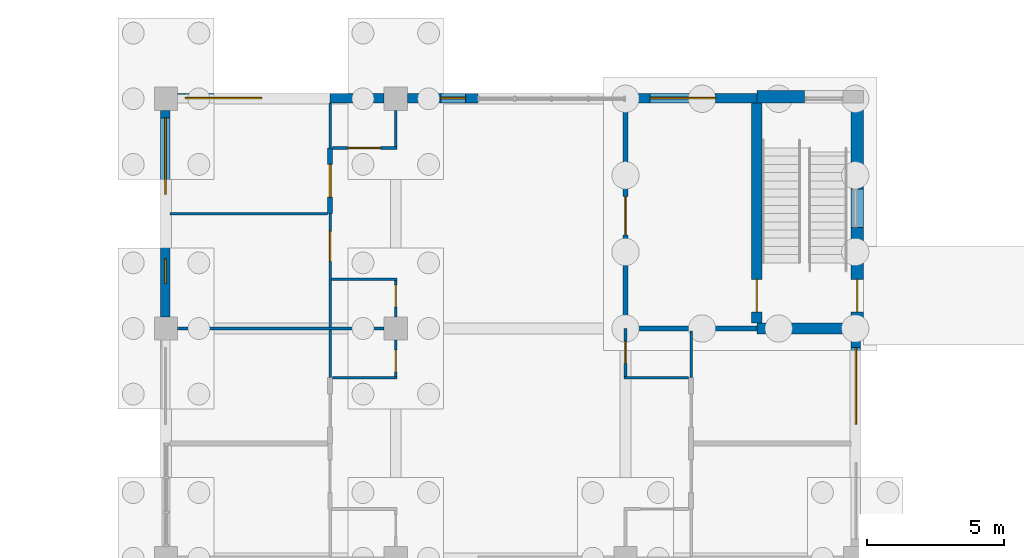
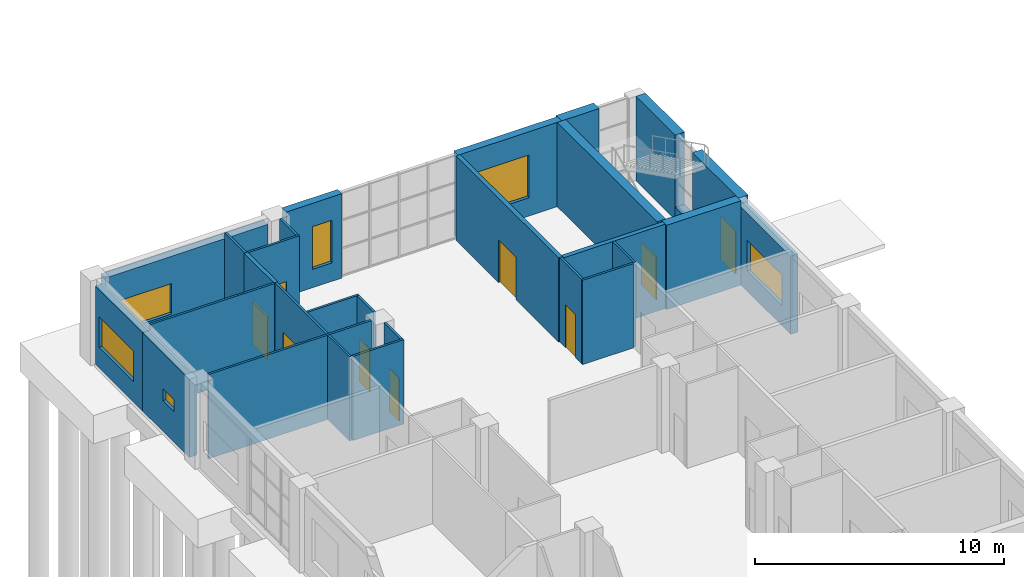
# One storey, part 121 of 138: 30 walls, 9 doors, 6 windows, 15 openings.
"""IFC4 building model written with IfcOpenShell, lengths in metres."""

from ifc_helpers import new_model, si_unit, direction, frame, frame_2d, origin, place, context, subcontext, project, spatial, rectangle, extrude, material, layer, layer_set, type_object, element, fill, save


model = new_model("IFC4")

# Units and contexts
model_context = context("Model", 3, precision=1e-05, world=origin(), true_north=direction((0.0, 1.0)))
body_context = subcontext(model_context, "Body", "Model", "MODEL_VIEW")
ifc_project = project(units=[si_unit("LENGTHUNIT", "METRE"), si_unit("AREAUNIT", "SQUARE_METRE"), si_unit("VOLUMEUNIT", "CUBIC_METRE"), si_unit("PLANEANGLEUNIT", "RADIAN"), si_unit("MASSUNIT", "GRAM", prefix="KILO")], contexts=[model_context])

# Site, building, storey
site_placement = place(None, origin())
site = spatial("IfcSite", under=ifc_project, at=site_placement, CompositionType="ELEMENT")
building_placement = place(site_placement, origin())
building = spatial("IfcBuilding", under=site, at=building_placement, Name="Yavir Park General Hospital", CompositionType="ELEMENT")
storey_placement = place(building_placement, origin())
storey = spatial("IfcBuildingStorey", under=building, at=storey_placement, Name="L00", CompositionType="ELEMENT", Elevation=0.0)

# Wall, opening, door
ifc_material_1 = material(Name="Double-leaf gypsum board acoustic partition on staggered studs")
ifc_layer_1 = layer(ifc_material_1, 0.175048828125)
ifc_layer_set_1 = layer_set([ifc_layer_1], Name="Double-leaf gypsum board acoustic partition on staggered studs")
wall_type_1 = type_object("IfcWallType", Name="Acoustic partition 175", PredefinedType="PARTITIONING", material=ifc_layer_set_1)
wall_1_placement = place(storey_placement, frame((6.0, 113.39990234375, 0.0), z_axis=(0.0, 0.0, 1.0), x_axis=(0.0, 1.0, 0.0)))
wall_1 = element("IfcWall", 1, at=wall_1_placement, inside=storey, type_object=wall_type_1, Name="AP175 L00-276", PredefinedType="PARTITIONING", context=body_context, shape_type="SweptSolid", body=[
    extrude(rectangle(XDim=2.400146484375, YDim=0.175048828125, at=frame_2d((1.2001953125, 0.0))), origin(), (0.0, 0.0, 1.0), 4.139892578125),
])
opening_1_placement = place(wall_1_placement, frame((0.60009765625, 0.0, 0.0)))
opening_1 = element("IfcOpeningElement", 2, at=opening_1_placement, cuts=wall_1, Name="Opening L00.D144", PredefinedType="OPENING", context=body_context, shape_type="SweptSolid", body=[
    extrude(rectangle(XDim=1.199951171875, YDim=2.10009765625, at=frame_2d((0.60009765625, 1.050048828125))), frame((0.0, 0.097412109375, 0.0), z_axis=(0.0, -1.0, 0.0), x_axis=(1.0, 0.0, 0.0)), (0.0, 0.0, 1.0), 0.195068359375),
])
ifc_material_2 = material(Name="Sealed solid-core acoustic door leaf, Rw 42 dB")
door_type_1 = type_object("IfcDoorType", Name="Acoustic door 1200 x 2100", OperationType="SINGLE_SWING_LEFT", PredefinedType="DOOR", material=ifc_material_2)
door_1_placement = place(opening_1_placement, origin())
door_1 = element("IfcDoor", 3, at=door_1_placement, inside=storey, type_object=door_type_1, Name="L00.D144", OperationType="SINGLE_SWING_RIGHT", OverallHeight=2.10009765625, OverallWidth=1.199951171875, PredefinedType="DOOR", context=body_context, shape_type="SweptSolid", body=[
    extrude(rectangle(XDim=1.199951171875, YDim=2.10009765625, at=frame_2d((0.60009765625, 1.050048828125))), frame((0.0, 0.03515625, 0.0), z_axis=(0.0, -1.0, 0.0), x_axis=(1.0, 0.0, 0.0)), (0.0, 0.0, 1.0), 0.070068359375),
])
fill(opening_1, door_1)

# Wall
ifc_material_3 = material(Name="Double gypsum board fire partition on steel studs", Category="steel")
ifc_layer_2 = layer(ifc_material_3, 0.199951171875)
ifc_layer_set_2 = layer_set([ifc_layer_2], Name="Double gypsum board fire partition on steel studs")
wall_type_2 = type_object("IfcWallType", Name="Fire-rated partition 200, EI 60", PredefinedType="PARTITIONING", material=ifc_layer_set_2)
wall_2_placement = place(storey_placement, frame((16.89990234375, 109.199951171875, 0.0), z_axis=(0.0, 0.0, 1.0), x_axis=(1.0, 0.0, 0.0)))
element("IfcWall", 4, at=wall_2_placement, inside=storey, type_object=wall_type_2, Name="FP20 L00-242", PredefinedType="PARTITIONING", context=body_context, shape_type="SweptSolid", body=[
    extrude(rectangle(XDim=4.7001953125, YDim=0.199951171875, at=frame_2d((2.35009765625, 0.0))), origin(), (0.0, 0.0, 1.0), 4.139892578125),
])

# Wall, opening, door
wall_3_placement = place(storey_placement, frame((16.800048828125, 109.199951171875, 0.0), z_axis=(0.0, 0.0, 1.0), x_axis=(0.0, 1.0, 0.0)))
wall_3 = element("IfcWall", 5, at=wall_3_placement, inside=storey, type_object=wall_type_2, Name="FP20 L00-315", PredefinedType="PARTITIONING", context=body_context, shape_type="SweptSolid", body=[
    extrude(rectangle(XDim=8.25, YDim=0.199951171875, at=frame_2d((4.125, 0.0))), origin(), (0.0, 0.0, 1.0), 4.139892578125),
])
opening_2_placement = place(wall_3_placement, frame((3.425048828125, 0.0, 0.0)))
opening_2 = element("IfcOpeningElement", 6, at=opening_2_placement, cuts=wall_3, Name="Opening L00.D175", PredefinedType="OPENING", context=body_context, shape_type="SweptSolid", body=[
    extrude(rectangle(XDim=1.39990234375, YDim=2.10009765625, at=frame_2d((0.699951171875, 1.050048828125))), frame((0.0, 0.10986328125, 0.0), z_axis=(0.0, -1.0, 0.0), x_axis=(1.0, 0.0, 0.0)), (0.0, 0.0, 1.0), 0.219970703125),
])
ifc_material_4 = material(Name="Steel frame, fire-resisting timber leaves", Category="steel")
door_type_2 = type_object("IfcDoorType", Name="Double fire door 1400 x 2100, EI 60", OperationType="DOUBLE_DOOR_SINGLE_SWING", PredefinedType="DOOR", material=ifc_material_4)
door_2_placement = place(opening_2_placement, origin())
door_2 = element("IfcDoor", 7, at=door_2_placement, inside=storey, type_object=door_type_2, Name="L00.D175", OperationType="SINGLE_SWING_LEFT", OverallHeight=2.10009765625, OverallWidth=1.39990234375, PredefinedType="DOOR", context=body_context, shape_type="SweptSolid", body=[
    extrude(rectangle(XDim=1.39990234375, YDim=2.10009765625, at=frame_2d((0.699951171875, 1.050048828125))), frame((0.0, 0.02490234375, 0.0), z_axis=(0.0, -1.0, 0.0), x_axis=(1.0, 0.0, 0.0)), (0.0, 0.0, 1.0), 0.050048828125),
])
fill(opening_2, door_2)

# Walls
ifc_material_5 = material(Name="Gypsum board partition on steel studs", Category="steel")
ifc_layer_3 = layer(ifc_material_5, 0.10009765625)
ifc_layer_set_3 = layer_set([ifc_layer_3], Name="Gypsum board partition on steel studs")
wall_type_3 = type_object("IfcWallType", Name="Gypsum board partition 100", PredefinedType="PARTITIONING", material=ifc_layer_set_3)
for number, where, z_axis, x_axis, name in (
    (8, (6.08740234375, 107.39990234375, 0.0), (0.0, 0.0, 1.0), (1.0, 0.0, 0.0), "P10 L00-239"),
    (9, (16.75, 107.39990234375, 0.0), (0.0, 0.0, 1.0), (1.0, 0.0, 0.0), "P10 L00-240"),
):
    element("IfcWall", number, at=place(storey_placement, frame(where, z_axis=z_axis, x_axis=x_axis)), inside=storey, type_object=wall_type_3, Name=name, PredefinedType="PARTITIONING", context=body_context, shape_type="SweptSolid", body=[
        extrude(rectangle(XDim=2.362548828125, YDim=0.10009765625, at=frame_2d((1.18115234375, 0.0))), origin(), (0.0, 0.0, 1.0), 4.139892578125),
    ])
wall_4_placement = place(storey_placement, frame((0.425048828125, 109.199951171875, 0.0), z_axis=(0.0, 0.0, 1.0), x_axis=(1.0, 0.0, 0.0)))
element("IfcWall", 10, at=wall_4_placement, inside=storey, type_object=wall_type_3, Name="P10 L00-241", PredefinedType="PARTITIONING", context=body_context, shape_type="SweptSolid", body=[
    extrude(rectangle(XDim=7.550048828125, YDim=0.10009765625, at=frame_2d((3.77490234375, 0.0))), origin(), (0.0, 0.0, 1.0), 4.139892578125),
])
wall_5_placement = place(storey_placement, frame((6.050048828125, 111.0, 0.0), z_axis=(0.0, 0.0, 1.0), x_axis=(1.0, 0.0, 0.0)))
element("IfcWall", 11, at=wall_5_placement, inside=storey, type_object=wall_type_3, Name="P10 L00-247", PredefinedType="PARTITIONING", context=body_context, shape_type="SweptSolid", body=[
    extrude(rectangle(XDim=2.39990234375, YDim=0.10009765625, at=frame_2d((1.199951171875, 0.0))), origin(), (0.0, 0.0, 1.0), 4.139892578125),
])
wall_6_placement = place(storey_placement, frame((0.14990234375, 113.39990234375, 0.0), z_axis=(0.0, 0.0, 1.0), x_axis=(1.0, 0.0, 0.0)))
element("IfcWall", 12, at=wall_6_placement, inside=storey, type_object=wall_type_3, Name="P10 L00-248", PredefinedType="PARTITIONING", context=body_context, shape_type="SweptSolid", body=[
    extrude(rectangle(XDim=5.7626953125, YDim=0.10009765625, at=frame_2d((2.88134765625, 0.0))), origin(), (0.0, 0.0, 1.0), 4.139892578125),
])

# Wall, opening, door
wall_7_placement = place(storey_placement, frame((6.08740234375, 115.800048828125, 0.0), z_axis=(0.0, 0.0, 1.0), x_axis=(1.0, 0.0, 0.0)))
wall_7 = element("IfcWall", 13, at=wall_7_placement, inside=storey, type_object=wall_type_3, Name="P10 L00-250", PredefinedType="PARTITIONING", context=body_context, shape_type="SweptSolid", body=[
    extrude(rectangle(XDim=2.362548828125, YDim=0.10009765625, at=frame_2d((1.18115234375, 0.0))), origin(), (0.0, 0.0, 1.0), 4.139892578125),
])
opening_3_placement = place(wall_7_placement, frame((0.55615234375, 0.0, 0.0)))
opening_3 = element("IfcOpeningElement", 14, at=opening_3_placement, cuts=wall_7, Name="Opening L00.D126", PredefinedType="OPENING", context=body_context, shape_type="SweptSolid", body=[
    extrude(rectangle(XDim=1.199951171875, YDim=2.10009765625, at=frame_2d((0.60009765625, 1.050048828125))), frame((0.0, 0.06005859375, 0.0), z_axis=(0.0, -1.0, 0.0), x_axis=(1.0, 0.0, 0.0)), (0.0, 0.0, 1.0), 0.1201171875),
])
ifc_material_6 = material(Name="Timber frame, hollow-core leaves", Category="wood")
door_type_3 = type_object("IfcDoorType", Name="Double-leaf wardrobe door 1200 x 2100", OperationType="DOUBLE_DOOR_SINGLE_SWING", PredefinedType="DOOR", material=ifc_material_6)
door_3_placement = place(opening_3_placement, origin())
door_3 = element("IfcDoor", 15, at=door_3_placement, inside=storey, type_object=door_type_3, Name="L00.D126", OperationType="SINGLE_SWING_LEFT", OverallHeight=2.10009765625, OverallWidth=1.199951171875, PredefinedType="DOOR", context=body_context, shape_type="SweptSolid", body=[
    extrude(rectangle(XDim=1.199951171875, YDim=2.10009765625, at=frame_2d((0.60009765625, 1.050048828125))), frame((0.0, 0.02001953125, 0.0), z_axis=(0.0, -1.0, 0.0), x_axis=(1.0, 0.0, 0.0)), (0.0, 0.0, 1.0), 0.0400390625),
])
fill(opening_3, door_3)

# Wall
wall_8_placement = place(storey_placement, frame((6.0, 107.39990234375, 0.0), z_axis=(0.0, 0.0, 1.0), x_axis=(0.0, 1.0, 0.0)))
element("IfcWall", 16, at=wall_8_placement, inside=storey, type_object=wall_type_3, Name="P10 L00-274", PredefinedType="PARTITIONING", context=body_context, shape_type="SweptSolid", body=[
    extrude(rectangle(XDim=1.75, YDim=0.10009765625, at=frame_2d((0.875, 0.0))), origin(), (0.0, 0.0, 1.0), 4.139892578125),
])

# Wall, opening, door
wall_9_placement = place(storey_placement, frame((6.0, 109.25, 0.0), z_axis=(0.0, 0.0, 1.0), x_axis=(0.0, 1.0, 0.0)))
wall_9 = element("IfcWall", 17, at=wall_9_placement, inside=storey, type_object=wall_type_3, Name="P10 L00-275", PredefinedType="PARTITIONING", context=body_context, shape_type="SweptSolid", body=[
    extrude(rectangle(XDim=4.14990234375, YDim=0.10009765625, at=frame_2d((2.074951171875, 0.0))), origin(), (0.0, 0.0, 1.0), 4.139892578125),
])
opening_4_placement = place(wall_9_placement, frame((2.39990234375, 0.0, 0.0)))
opening_4 = element("IfcOpeningElement", 18, at=opening_4_placement, cuts=wall_9, Name="Opening L00.D143", PredefinedType="OPENING", context=body_context, shape_type="SweptSolid", body=[
    extrude(rectangle(XDim=1.10009765625, YDim=2.10009765625, at=frame_2d((0.550048828125, 1.050048828125))), frame((0.0, 0.06005859375, 0.0), z_axis=(0.0, -1.0, 0.0), x_axis=(1.0, 0.0, 0.0)), (0.0, 0.0, 1.0), 0.1201171875),
])
ifc_material_7 = material(Name="Hollow metal frame, solid-core timber leaf", Category="wood")
door_type_4 = type_object("IfcDoorType", Name="Single swing door 1100 x 2100", OperationType="SINGLE_SWING_LEFT", PredefinedType="DOOR", material=ifc_material_7)
door_4_placement = place(opening_4_placement, origin())
door_4 = element("IfcDoor", 19, at=door_4_placement, inside=storey, type_object=door_type_4, Name="L00.D143", OperationType="SINGLE_SWING_LEFT", OverallHeight=2.10009765625, OverallWidth=1.10009765625, PredefinedType="DOOR", context=body_context, shape_type="SweptSolid", body=[
    extrude(rectangle(XDim=1.10009765625, YDim=2.10009765625, at=frame_2d((0.550048828125, 1.050048828125))), frame((0.0, 0.02490234375, 0.0), z_axis=(0.0, -1.0, 0.0), x_axis=(1.0, 0.0, 0.0)), (0.0, 0.0, 1.0), 0.050048828125),
])
fill(opening_4, door_4)

# Wall
wall_10_placement = place(storey_placement, frame((6.0, 115.800048828125, 0.0), z_axis=(0.0, 0.0, 1.0), x_axis=(0.0, 1.0, 0.0)))
element("IfcWall", 20, at=wall_10_placement, inside=storey, type_object=wall_type_3, Name="P10 L00-277", PredefinedType="PARTITIONING", context=body_context, shape_type="SweptSolid", body=[
    extrude(rectangle(XDim=1.64990234375, YDim=0.10009765625, at=frame_2d((0.824951171875, 0.0))), origin(), (0.0, 0.0, 1.0), 4.139892578125),
])

# Wall, opening, door
wall_11_placement = place(storey_placement, frame((8.39990234375, 107.449951171875, 0.0), z_axis=(0.0, 0.0, 1.0), x_axis=(0.0, 1.0, 0.0)))
wall_11 = element("IfcWall", 21, at=wall_11_placement, inside=storey, type_object=wall_type_3, Name="P10 L00-292", PredefinedType="PARTITIONING", context=body_context, shape_type="SweptSolid", body=[
    extrude(rectangle(XDim=1.324951171875, YDim=0.10009765625, at=frame_2d((0.66259765625, 0.0))), origin(), (0.0, 0.0, 1.0), 4.139892578125),
])
opening_5_placement = place(wall_11_placement, frame((0.16259765625, 0.0, 0.0)))
opening_5 = element("IfcOpeningElement", 22, at=opening_5_placement, cuts=wall_11, Name="Opening L00.D157", PredefinedType="OPENING", context=body_context, shape_type="SweptSolid", body=[
    extrude(rectangle(XDim=0.800048828125, YDim=2.10009765625, at=frame_2d((0.39990234375, 1.050048828125))), frame((0.0, 0.06005859375, 0.0), z_axis=(0.0, -1.0, 0.0), x_axis=(1.0, 0.0, 0.0)), (0.0, 0.0, 1.0), 0.1201171875),
])
ifc_material_8 = material(Name="Timber frame, hollow-core leaf", Category="wood")
door_type_5 = type_object("IfcDoorType", Name="Light cupboard door 800 x 2100", OperationType="SINGLE_SWING_LEFT", PredefinedType="DOOR", material=ifc_material_8)
door_5_placement = place(opening_5_placement, origin())
door_5 = element("IfcDoor", 23, at=door_5_placement, inside=storey, type_object=door_type_5, Name="L00.D157", OperationType="SINGLE_SWING_RIGHT", OverallHeight=2.10009765625, OverallWidth=0.800048828125, PredefinedType="DOOR", context=body_context, shape_type="SweptSolid", body=[
    extrude(rectangle(XDim=0.800048828125, YDim=2.10009765625, at=frame_2d((0.39990234375, 1.050048828125))), frame((0.0, 0.02001953125, 0.0), z_axis=(0.0, -1.0, 0.0), x_axis=(1.0, 0.0, 0.0)), (0.0, 0.0, 1.0), 0.0400390625),
])
fill(opening_5, door_5)

wall_12_placement = place(storey_placement, frame((8.39990234375, 109.625, 0.0), z_axis=(0.0, 0.0, 1.0), x_axis=(0.0, 1.0, 0.0)))
wall_12 = element("IfcWall", 24, at=wall_12_placement, inside=storey, type_object=wall_type_3, Name="P10 L00-293", PredefinedType="PARTITIONING", context=body_context, shape_type="SweptSolid", body=[
    extrude(rectangle(XDim=1.324951171875, YDim=0.10009765625, at=frame_2d((0.66259765625, 0.0))), origin(), (0.0, 0.0, 1.0), 4.139892578125),
])
opening_6_placement = place(wall_12_placement, frame((0.362548828125, 0.0, 0.0)))
opening_6 = element("IfcOpeningElement", 25, at=opening_6_placement, cuts=wall_12, Name="Opening L00.D158", PredefinedType="OPENING", context=body_context, shape_type="SweptSolid", body=[
    extrude(rectangle(XDim=0.800048828125, YDim=2.10009765625, at=frame_2d((0.39990234375, 1.050048828125))), frame((0.0, 0.06005859375, 0.0), z_axis=(0.0, -1.0, 0.0), x_axis=(1.0, 0.0, 0.0)), (0.0, 0.0, 1.0), 0.1201171875),
])
door_6_placement = place(opening_6_placement, origin())
door_6 = element("IfcDoor", 26, at=door_6_placement, inside=storey, type_object=door_type_5, Name="L00.D158", OperationType="SINGLE_SWING_LEFT", OverallHeight=2.10009765625, OverallWidth=0.800048828125, PredefinedType="DOOR", context=body_context, shape_type="SweptSolid", body=[
    extrude(rectangle(XDim=0.800048828125, YDim=2.10009765625, at=frame_2d((0.39990234375, 1.050048828125))), frame((0.0, 0.02001953125, 0.0), z_axis=(0.0, -1.0, 0.0), x_axis=(1.0, 0.0, 0.0)), (0.0, 0.0, 1.0), 0.0400390625),
])
fill(opening_6, door_6)

# Wall
wall_13_placement = place(storey_placement, frame((8.39990234375, 115.85009765625, 0.0), z_axis=(0.0, 0.0, 1.0), x_axis=(0.0, 1.0, 0.0)))
element("IfcWall", 27, at=wall_13_placement, inside=storey, type_object=wall_type_3, Name="P10 L00-294", PredefinedType="PARTITIONING", context=body_context, shape_type="SweptSolid", body=[
    extrude(rectangle(XDim=1.324951171875, YDim=0.10009765625, at=frame_2d((0.66259765625, 0.0))), origin(), (0.0, 0.0, 1.0), 4.139892578125),
])

# Wall, opening, door
wall_14_placement = place(storey_placement, frame((16.800048828125, 107.449951171875, 0.0), z_axis=(0.0, 0.0, 1.0), x_axis=(0.0, 1.0, 0.0)))
wall_14 = element("IfcWall", 28, at=wall_14_placement, inside=storey, type_object=wall_type_3, Name="P10 L00-314", PredefinedType="PARTITIONING", context=body_context, shape_type="SweptSolid", body=[
    extrude(rectangle(XDim=1.75, YDim=0.10009765625, at=frame_2d((0.875, 0.0))), origin(), (0.0, 0.0, 1.0), 4.139892578125),
])
opening_7_placement = place(wall_14_placement, frame((0.47509765625, 0.0, 0.0)))
opening_7 = element("IfcOpeningElement", 29, at=opening_7_placement, cuts=wall_14, Name="Opening L00.D174", PredefinedType="OPENING", context=body_context, shape_type="SweptSolid", body=[
    extrude(rectangle(XDim=0.800048828125, YDim=2.10009765625, at=frame_2d((0.39990234375, 1.050048828125))), frame((0.0, 0.06005859375, 0.0), z_axis=(0.0, -1.0, 0.0), x_axis=(1.0, 0.0, 0.0)), (0.0, 0.0, 1.0), 0.1201171875),
])
door_7_placement = place(opening_7_placement, origin())
door_7 = element("IfcDoor", 30, at=door_7_placement, inside=storey, type_object=door_type_5, Name="L00.D174", OperationType="SINGLE_SWING_LEFT", OverallHeight=2.10009765625, OverallWidth=0.800048828125, PredefinedType="DOOR", context=body_context, shape_type="SweptSolid", body=[
    extrude(rectangle(XDim=0.800048828125, YDim=2.10009765625, at=frame_2d((0.39990234375, 1.050048828125))), frame((0.0, 0.02001953125, 0.0), z_axis=(0.0, -1.0, 0.0), x_axis=(1.0, 0.0, 0.0)), (0.0, 0.0, 1.0), 0.0400390625),
])
fill(opening_7, door_7)

# Wall
wall_15_placement = place(storey_placement, frame((19.199951171875, 107.39990234375, 0.0), z_axis=(0.0, 0.0, 1.0), x_axis=(0.0, 1.0, 0.0)))
element("IfcWall", 31, at=wall_15_placement, inside=storey, type_object=wall_type_3, Name="P10 L00-336", PredefinedType="PARTITIONING", context=body_context, shape_type="SweptSolid", body=[
    extrude(rectangle(XDim=1.7001953125, YDim=0.10009765625, at=frame_2d((0.85009765625, 0.0))), origin(), (0.0, 0.0, 1.0), 4.139892578125),
])

# Wall, opening, window
ifc_material_9 = material(Name="Concrete C30/37 precast panel with 120 mm mineral wool insulation", Category="concrete")
ifc_layer_4 = layer(ifc_material_9, 0.35009765625)
ifc_layer_set_4 = layer_set([ifc_layer_4], Name="Concrete C30/37 precast panel with 120 mm mineral wool insulation")
wall_type_4 = type_object("IfcWallType", Name="Precast cladding panel podium wall 350, E 30", PredefinedType="SOLIDWALL", material=ifc_layer_set_4)
wall_16_placement = place(storey_placement, frame((0.425048828125, 117.625, 0.0), z_axis=(0.0, 0.0, 1.0), x_axis=(1.0, 0.0, 0.0)))
wall_16 = element("IfcWall", 32, at=wall_16_placement, inside=storey, type_object=wall_type_4, Name="XW2 L00-078", PredefinedType="SOLIDWALL", context=body_context, shape_type="SweptSolid", body=[
    extrude(rectangle(XDim=5.574951171875, YDim=0.35009765625, at=frame_2d((2.78759765625, 0.0))), origin(), (0.0, 0.0, 1.0), 3.840087890625),
])
opening_8_placement = place(wall_16_placement, frame((0.27490234375, 0.0, 1.0)))
opening_8 = element("IfcOpeningElement", 33, at=opening_8_placement, cuts=wall_16, Name="Opening WRB2", PredefinedType="OPENING", context=body_context, shape_type="SweptSolid", body=[
    extrude(rectangle(XDim=2.800048828125, YDim=1.5, at=frame_2d((1.39990234375, 0.75))), frame((0.0, 0.18505859375, 0.0), z_axis=(0.0, -1.0, 0.0), x_axis=(1.0, 0.0, 0.0)), (0.0, 0.0, 1.0), 0.3701171875),
])
ifc_material_10 = material(Name="Aluminium frame, double glazed unit", Category="aluminium")
window_type_1 = type_object("IfcWindowType", Name="Tall ribbon window 2800 x 1500", PartitioningType="DOUBLE_PANEL_VERTICAL", PredefinedType="WINDOW", material=ifc_material_10)
window_1_placement = place(opening_8_placement, origin())
window_1 = element("IfcWindow", 34, at=window_1_placement, inside=storey, type_object=window_type_1, Name="WRB2 L00-024", OverallHeight=1.5, OverallWidth=2.800048828125, PartitioningType="DOUBLE_PANEL_VERTICAL", PredefinedType="WINDOW", context=body_context, shape_type="SweptSolid", body=[
    extrude(rectangle(XDim=2.800048828125, YDim=1.5, at=frame_2d((1.39990234375, 0.75))), frame((0.0, 0.030029296875, 0.0), z_axis=(0.0, -1.0, 0.0), x_axis=(1.0, 0.0, 0.0)), (0.0, 0.0, 1.0), 0.06005859375),
])
fill(opening_8, window_1)

# Wall
wall_17_placement = place(storey_placement, frame((6.0, 117.625, 0.0), z_axis=(0.0, 0.0, 1.0), x_axis=(1.0, 0.0, 0.0)))
element("IfcWall", 35, at=wall_17_placement, inside=storey, type_object=wall_type_4, Name="XW2 L00-079", PredefinedType="SOLIDWALL", context=body_context, shape_type="SweptSolid", body=[
    extrude(rectangle(XDim=1.97509765625, YDim=0.35009765625, at=frame_2d((0.987548828125, 0.0))), origin(), (0.0, 0.0, 1.0), 3.840087890625),
])

# Wall, opening, window
wall_18_placement = place(storey_placement, frame((8.824951171875, 117.625, 0.0), z_axis=(0.0, 0.0, 1.0), x_axis=(1.0, 0.0, 0.0)))
wall_18 = element("IfcWall", 36, at=wall_18_placement, inside=storey, type_object=wall_type_4, Name="XW2 L00-080", PredefinedType="SOLIDWALL", context=body_context, shape_type="SweptSolid", body=[
    extrude(rectangle(XDim=2.574951171875, YDim=0.35009765625, at=frame_2d((1.28759765625, 0.0))), origin(), (0.0, 0.0, 1.0), 4.139892578125),
])
opening_9_placement = place(wall_18_placement, frame((1.22509765625, 0.0, 0.89990234375)))
opening_9 = element("IfcOpeningElement", 37, at=opening_9_placement, cuts=wall_18, Name="Opening WH2", PredefinedType="OPENING", context=body_context, shape_type="SweptSolid", body=[
    extrude(rectangle(XDim=0.89990234375, YDim=2.10009765625, at=frame_2d((0.449951171875, 1.050048828125))), frame((0.0, 0.18505859375, 0.0), z_axis=(0.0, -1.0, 0.0), x_axis=(1.0, 0.0, 0.0)), (0.0, 0.0, 1.0), 0.3701171875),
])
ifc_material_11 = material(Name="Aluminium frame, double glazed unit", Category="aluminium")
window_type_2 = type_object("IfcWindowType", Name="Tall narrow window 900 x 2100", PartitioningType="SINGLE_PANEL", PredefinedType="WINDOW", material=ifc_material_11)
window_2_placement = place(opening_9_placement, origin())
window_2 = element("IfcWindow", 38, at=window_2_placement, inside=storey, type_object=window_type_2, Name="WH2 L00-025", OverallHeight=2.10009765625, OverallWidth=0.89990234375, PartitioningType="SINGLE_PANEL", PredefinedType="WINDOW", context=body_context, shape_type="SweptSolid", body=[
    extrude(rectangle(XDim=0.89990234375, YDim=2.10009765625, at=frame_2d((0.449951171875, 1.050048828125))), frame((0.0, 0.030029296875, 0.0), z_axis=(0.0, -1.0, 0.0), x_axis=(1.0, 0.0, 0.0)), (0.0, 0.0, 1.0), 0.06005859375),
])
fill(opening_9, window_2)

wall_19_placement = place(storey_placement, frame((16.800048828125, 117.625, 0.0), z_axis=(0.0, 0.0, 1.0), x_axis=(1.0, 0.0, 0.0)))
wall_19 = element("IfcWall", 39, at=wall_19_placement, inside=storey, type_object=wall_type_4, Name="XW2 L00-081", PredefinedType="SOLIDWALL", context=body_context, shape_type="SweptSolid", body=[
    extrude(rectangle(XDim=4.800048828125, YDim=0.35009765625, at=frame_2d((2.39990234375, 0.0))), origin(), (0.0, 0.0, 1.0), 4.139892578125),
])
opening_10_placement = place(wall_19_placement, frame((0.89990234375, 0.0, 0.89990234375)))
opening_10 = element("IfcOpeningElement", 40, at=opening_10_placement, cuts=wall_19, Name="Opening WF2", PredefinedType="OPENING", context=body_context, shape_type="SweptSolid", body=[
    extrude(rectangle(XDim=2.39990234375, YDim=2.10009765625, at=frame_2d((1.199951171875, 1.050048828125))), frame((0.0, 0.18505859375, 0.0), z_axis=(0.0, -1.0, 0.0), x_axis=(1.0, 0.0, 0.0)), (0.0, 0.0, 1.0), 0.3701171875),
])
ifc_material_12 = material(Name="Aluminium frame, double glazed unit", Category="aluminium")
window_type_3 = type_object("IfcWindowType", Name="Tall corridor end window 2400 x 2100", PartitioningType="DOUBLE_PANEL_VERTICAL", PredefinedType="WINDOW", material=ifc_material_12)
window_3_placement = place(opening_10_placement, origin())
window_3 = element("IfcWindow", 41, at=window_3_placement, inside=storey, type_object=window_type_3, Name="WF2 L00-026", OverallHeight=2.10009765625, OverallWidth=2.39990234375, PartitioningType="DOUBLE_PANEL_VERTICAL", PredefinedType="WINDOW", context=body_context, shape_type="SweptSolid", body=[
    extrude(rectangle(XDim=2.39990234375, YDim=2.10009765625, at=frame_2d((1.199951171875, 1.050048828125))), frame((0.0, 0.030029296875, 0.0), z_axis=(0.0, -1.0, 0.0), x_axis=(1.0, 0.0, 0.0)), (0.0, 0.0, 1.0), 0.06005859375),
])
fill(opening_10, window_3)

wall_20_placement = place(storey_placement, frame((-0.02490234375, 109.625, 0.0), z_axis=(0.0, 0.0, 1.0), x_axis=(0.0, 1.0, 0.0)))
wall_20 = element("IfcWall", 42, at=wall_20_placement, inside=storey, type_object=wall_type_4, Name="XW2 L00-114", PredefinedType="SOLIDWALL", context=body_context, shape_type="SweptSolid", body=[
    extrude(rectangle(XDim=3.77490234375, YDim=0.35009765625, at=frame_2d((1.887451171875, 0.0))), origin(), (0.0, 0.0, 1.0), 3.840087890625),
])
opening_11_placement = place(wall_20_placement, frame((1.22509765625, 0.0, 1.5)))
opening_11 = element("IfcOpeningElement", 43, at=opening_11_placement, cuts=wall_20, Name="Opening WE", PredefinedType="OPENING", context=body_context, shape_type="SweptSolid", body=[
    extrude(rectangle(XDim=0.89990234375, YDim=0.60009765625, at=frame_2d((0.449951171875, 0.300048828125))), frame((0.0, 0.18505859375, 0.0), z_axis=(0.0, -1.0, 0.0), x_axis=(1.0, 0.0, 0.0)), (0.0, 0.0, 1.0), 0.3701171875),
])
ifc_material_13 = material(Name="Aluminium frame, obscured glazed unit", Category="aluminium")
window_type_4 = type_object("IfcWindowType", Name="Toilet window 900 x 600", PartitioningType="SINGLE_PANEL", PredefinedType="WINDOW", material=ifc_material_13)
window_4_placement = place(opening_11_placement, origin())
window_4 = element("IfcWindow", 44, at=window_4_placement, inside=storey, type_object=window_type_4, Name="WE L00-046", OverallHeight=0.60009765625, OverallWidth=0.89990234375, PartitioningType="SINGLE_PANEL", PredefinedType="WINDOW", context=body_context, shape_type="SweptSolid", body=[
    extrude(rectangle(XDim=0.89990234375, YDim=0.60009765625, at=frame_2d((0.449951171875, 0.300048828125))), frame((0.0, 0.030029296875, 0.0), z_axis=(0.0, -1.0, 0.0), x_axis=(1.0, 0.0, 0.0)), (0.0, 0.0, 1.0), 0.06005859375),
])
fill(opening_11, window_4)

wall_21_placement = place(storey_placement, frame((-0.02490234375, 113.39990234375, 0.0), z_axis=(0.0, 0.0, 1.0), x_axis=(0.0, 1.0, 0.0)))
wall_21 = element("IfcWall", 45, at=wall_21_placement, inside=storey, type_object=wall_type_4, Name="XW2 L00-115", PredefinedType="SOLIDWALL", context=body_context, shape_type="SweptSolid", body=[
    extrude(rectangle(XDim=3.775146484375, YDim=0.35009765625, at=frame_2d((1.8876953125, 0.0))), origin(), (0.0, 0.0, 1.0), 3.840087890625),
])
opening_12_placement = place(wall_21_placement, frame((0.699951171875, 0.0, 1.0)))
opening_12 = element("IfcOpeningElement", 46, at=opening_12_placement, cuts=wall_21, Name="Opening WRB2", PredefinedType="OPENING", context=body_context, shape_type="SweptSolid", body=[
    extrude(rectangle(XDim=2.800048828125, YDim=1.5, at=frame_2d((1.39990234375, 0.75))), frame((0.0, 0.18505859375, 0.0), z_axis=(0.0, -1.0, 0.0), x_axis=(1.0, 0.0, 0.0)), (0.0, 0.0, 1.0), 0.3701171875),
])
window_5_placement = place(opening_12_placement, origin())
window_5 = element("IfcWindow", 47, at=window_5_placement, inside=storey, type_object=window_type_1, Name="WRB2 L00-047", OverallHeight=1.5, OverallWidth=2.800048828125, PartitioningType="DOUBLE_PANEL_VERTICAL", PredefinedType="WINDOW", context=body_context, shape_type="SweptSolid", body=[
    extrude(rectangle(XDim=2.800048828125, YDim=1.5, at=frame_2d((1.39990234375, 0.75))), frame((0.0, 0.030029296875, 0.0), z_axis=(0.0, -1.0, 0.0), x_axis=(1.0, 0.0, 0.0)), (0.0, 0.0, 1.0), 0.06005859375),
])
fill(opening_12, window_5)

wall_22_placement = place(storey_placement, frame((25.22509765625, 105.0, 0.0), z_axis=(0.0, 0.0, 1.0), x_axis=(0.0, 1.0, 0.0)))
wall_22 = element("IfcWall", 48, at=wall_22_placement, inside=storey, type_object=wall_type_4, Name="XW2 L00-135", PredefinedType="SOLIDWALL", context=body_context, shape_type="SweptSolid", body=[
    extrude(rectangle(XDim=4.199951171875, YDim=0.35009765625, at=frame_2d((2.10009765625, 0.0))), origin(), (0.0, 0.0, 1.0), 3.840087890625),
])
opening_13_placement = place(wall_22_placement, frame((0.699951171875, 0.0, 1.0)))
opening_13 = element("IfcOpeningElement", 49, at=opening_13_placement, cuts=wall_22, Name="Opening WRB2", PredefinedType="OPENING", context=body_context, shape_type="SweptSolid", body=[
    extrude(rectangle(XDim=2.800048828125, YDim=1.5, at=frame_2d((1.39990234375, 0.75))), frame((0.0, 0.18505859375, 0.0), z_axis=(0.0, -1.0, 0.0), x_axis=(1.0, 0.0, 0.0)), (0.0, 0.0, 1.0), 0.3701171875),
])
window_6_placement = place(opening_13_placement, origin())
window_6 = element("IfcWindow", 50, at=window_6_placement, inside=storey, type_object=window_type_1, Name="WRB2 L00-060", OverallHeight=1.5, OverallWidth=2.800048828125, PartitioningType="DOUBLE_PANEL_VERTICAL", PredefinedType="WINDOW", context=body_context, shape_type="SweptSolid", body=[
    extrude(rectangle(XDim=2.800048828125, YDim=1.5, at=frame_2d((1.39990234375, 0.75))), frame((0.0, 0.030029296875, 0.0), z_axis=(0.0, -1.0, 0.0), x_axis=(1.0, 0.0, 0.0)), (0.0, 0.0, 1.0), 0.06005859375),
])
fill(opening_13, window_6)

# Wall
ifc_material_14 = material(Name="Concrete C35/45", Category="concrete")
ifc_layer_5 = layer(ifc_material_14, 0.39990234375)
ifc_layer_set_5 = layer_set([ifc_layer_5], Name="Concrete C35/45")
wall_type_5 = type_object("IfcWallType", Name="Reinforced concrete core wall 400, REI 150", PredefinedType="SHEAR", material=ifc_layer_set_5)
wall_23_placement = place(storey_placement, frame((21.60009765625, 109.199951171875, 0.0), z_axis=(0.0, 0.0, 1.0), x_axis=(1.0, 0.0, 0.0)))
element("IfcWall", 51, at=wall_23_placement, inside=storey, type_object=wall_type_5, Name="CW40 L00-243", PredefinedType="SHEAR", context=body_context, shape_type="SweptSolid", body=[
    extrude(rectangle(XDim=3.449951171875, YDim=0.39990234375, at=frame_2d((1.72509765625, 0.0))), origin(), (0.0, 0.0, 1.0), 4.139892578125),
])

# Wall, opening, door
wall_24_placement = place(storey_placement, frame((21.60009765625, 109.39990234375, 0.0), z_axis=(0.0, 0.0, 1.0), x_axis=(0.0, 1.0, 0.0)))
wall_24 = element("IfcWall", 52, at=wall_24_placement, inside=storey, type_object=wall_type_5, Name="CW40 L00-340", PredefinedType="SHEAR", context=body_context, shape_type="SweptSolid", body=[
    extrude(rectangle(XDim=8.050048828125, YDim=0.39990234375, at=frame_2d((4.02490234375, 0.0))), origin(), (0.0, 0.0, 1.0), 4.139892578125),
])
opening_14_placement = place(wall_24_placement, frame((0.39990234375, 0.0, 0.0)))
opening_14 = element("IfcOpeningElement", 53, at=opening_14_placement, cuts=wall_24, Name="Opening L00.D192", PredefinedType="OPENING", context=body_context, shape_type="SweptSolid", body=[
    extrude(rectangle(XDim=1.199951171875, YDim=2.10009765625, at=frame_2d((0.60009765625, 1.050048828125))), frame((0.0, 0.2099609375, 0.0), z_axis=(0.0, -1.0, 0.0), x_axis=(1.0, 0.0, 0.0)), (0.0, 0.0, 1.0), 0.419921875),
])
ifc_material_15 = material(Name="Steel frame, fire-resisting timber leaf", Category="steel")
door_type_6 = type_object("IfcDoorType", Name="Fire door 1200 x 2100, EI 60", OperationType="SINGLE_SWING_LEFT", PredefinedType="DOOR", material=ifc_material_15)
door_8_placement = place(opening_14_placement, origin())
door_8 = element("IfcDoor", 54, at=door_8_placement, inside=storey, type_object=door_type_6, Name="L00.D192", OperationType="SINGLE_SWING_RIGHT", OverallHeight=2.10009765625, OverallWidth=1.199951171875, PredefinedType="DOOR", context=body_context, shape_type="SweptSolid", body=[
    extrude(rectangle(XDim=1.199951171875, YDim=2.10009765625, at=frame_2d((0.60009765625, 1.050048828125))), frame((0.0, 0.02490234375, 0.0), z_axis=(0.0, -1.0, 0.0), x_axis=(1.0, 0.0, 0.0)), (0.0, 0.0, 1.0), 0.050048828125),
])
fill(opening_14, door_8)

# Wall
ifc_material_16 = material(Name="Concrete C30/37 precast panel with 150 mm mineral wool insulation", Category="concrete")
ifc_layer_6 = layer(ifc_material_16, 0.449951171875)
ifc_layer_set_6 = layer_set([ifc_layer_6], Name="Concrete C30/37 precast panel with 150 mm mineral wool insulation")
wall_type_6 = type_object("IfcWallType", Name="Stair enclosure wall 450, REI 150", PredefinedType="SOLIDWALL", material=ifc_layer_set_6)
wall_25_placement = place(storey_placement, frame((21.60009765625, 117.675048828125, 0.0), z_axis=(0.0, 0.0, 1.0), x_axis=(1.0, 0.0, 0.0)))
element("IfcWall", 55, at=wall_25_placement, inside=storey, type_object=wall_type_6, Name="XW6 L00-082", PredefinedType="SOLIDWALL", context=body_context, shape_type="SweptSolid", body=[
    extrude(rectangle(XDim=1.75, YDim=0.449951171875, at=frame_2d((0.875, 0.0))), origin(), (0.0, 0.0, 1.0), 4.139892578125),
])

# Wall, opening, door
wall_26_placement = place(storey_placement, frame((25.27490234375, 109.199951171875, 0.0), z_axis=(0.0, 0.0, 1.0), x_axis=(0.0, 1.0, 0.0)))
wall_26 = element("IfcWall", 56, at=wall_26_placement, inside=storey, type_object=wall_type_6, Name="XW6 L00-136", PredefinedType="SOLIDWALL", context=body_context, shape_type="SweptSolid", body=[
    extrude(rectangle(XDim=3.699951171875, YDim=0.449951171875, at=frame_2d((1.85009765625, 0.0))), origin(), (0.0, 0.0, 1.0), 4.139892578125),
])
opening_15_placement = place(wall_26_placement, frame((0.60009765625, 0.0, 0.0)))
opening_15 = element("IfcOpeningElement", 57, at=opening_15_placement, cuts=wall_26, Name="Opening L00.X28", PredefinedType="OPENING", context=body_context, shape_type="SweptSolid", body=[
    extrude(rectangle(XDim=1.199951171875, YDim=2.10009765625, at=frame_2d((0.60009765625, 1.050048828125))), frame((0.0, 0.23486328125, 0.0), z_axis=(0.0, -1.0, 0.0), x_axis=(1.0, 0.0, 0.0)), (0.0, 0.0, 1.0), 0.469970703125),
])
ifc_material_17 = material(Name="Hollow metal frame, solid-core timber leaf", Category="wood")
door_type_7 = type_object("IfcDoorType", Name="Single swing door 1200 x 2100", OperationType="SINGLE_SWING_LEFT", PredefinedType="DOOR", material=ifc_material_17)
door_9_placement = place(opening_15_placement, frame((1.199951171875, 0.0, 0.0), x_axis=(-1.0, 0.0, 0.0)))
door_9 = element("IfcDoor", 58, at=door_9_placement, inside=storey, type_object=door_type_7, Name="L00.X28", OperationType="SINGLE_SWING_LEFT", OverallHeight=2.10009765625, OverallWidth=1.199951171875, PredefinedType="DOOR", context=body_context, shape_type="SweptSolid", body=[
    extrude(rectangle(XDim=1.199951171875, YDim=2.10009765625, at=frame_2d((0.60009765625, 1.050048828125))), frame((0.0, 0.02490234375, 0.0), z_axis=(0.0, -1.0, 0.0), x_axis=(1.0, 0.0, 0.0)), (0.0, 0.0, 1.0), 0.050048828125),
])
fill(opening_15, door_9)

# Walls
wall_27_placement = place(storey_placement, frame((25.27490234375, 114.300048828125, 0.0), z_axis=(0.0, 0.0, 1.0), x_axis=(0.0, 1.0, 0.0)))
element("IfcWall", 59, at=wall_27_placement, inside=storey, type_object=wall_type_6, Name="XW6 L00-137", PredefinedType="SOLIDWALL", context=body_context, shape_type="SweptSolid", body=[
    extrude(rectangle(XDim=3.14990234375, YDim=0.449951171875, at=frame_2d((1.574951171875, 0.0))), origin(), (0.0, 0.0, 1.0), 4.139892578125),
])
wall_28_placement = place(storey_placement, frame((25.27490234375, 112.89990234375, 0.0), z_axis=(0.0, 0.0, 1.0), x_axis=(0.0, 1.0, 0.0)))
element("IfcWall", 60, at=wall_28_placement, inside=storey, type_object=wall_type_6, Name="XW6 L00-138", PredefinedType="SOLIDWALL", context=body_context, shape_type="SweptSolid", body=[
    extrude(rectangle(XDim=1.400146484375, YDim=0.449951171875, at=frame_2d((0.7001953125, 0.0))), origin(), (0.0, 0.0, 1.0), 0.60009765625),
])

save(model, "model.ifc")
